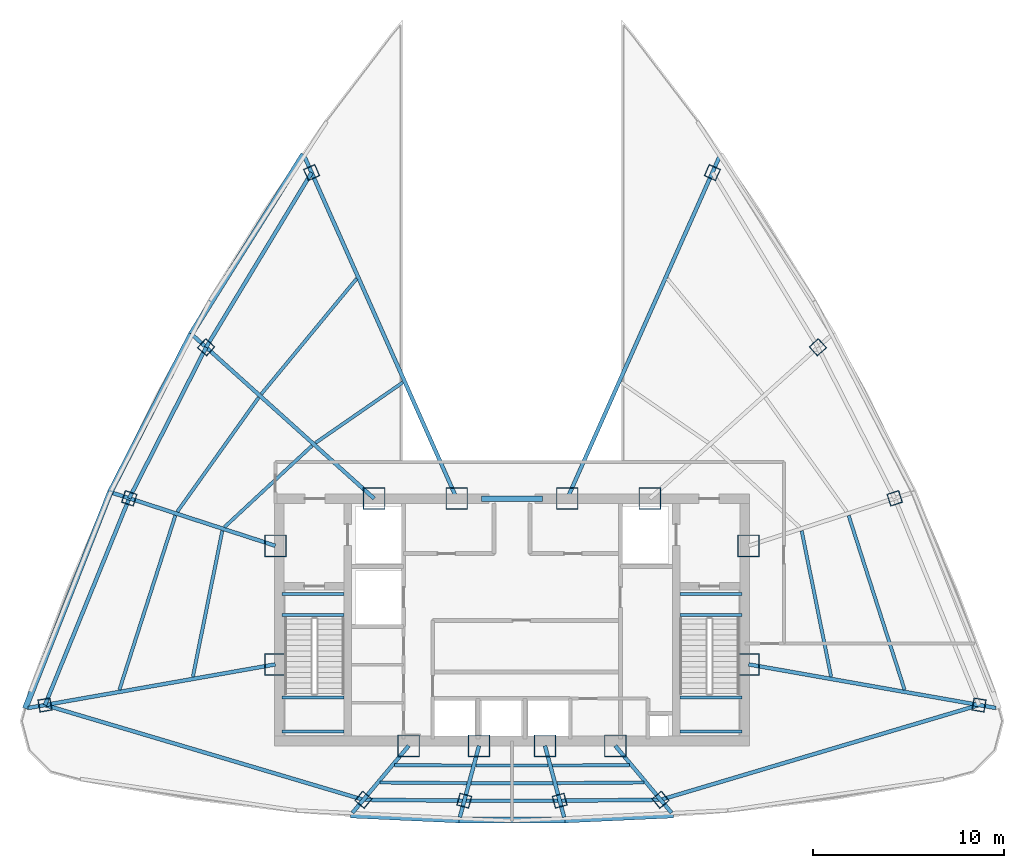
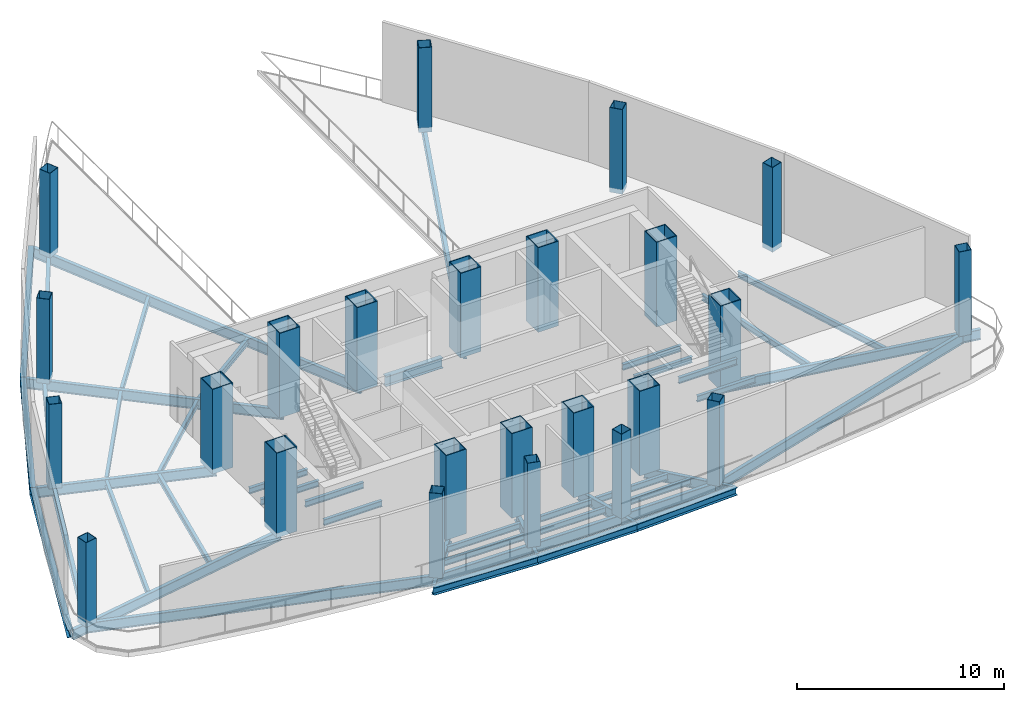
# One storey, part 1 of 6: 47 beams, 24 columns.
"""IFC4 building model written with IfcOpenShell, lengths in metres."""

from ifc_helpers import new_model, si_unit, direction, frame, origin, origin_2d, place, context, subcontext, project, spatial, hollow_rectangle, i_section, extrude, source, transform, mapped, material, material_profile, profile_set, type_object, element, save


model = new_model("IFC4")

# Units and contexts
model_context = context("Model", 3, precision=1e-05, world=origin(), true_north=direction((0.0, 1.0)))
body_context = subcontext(model_context, "Body", "Model", "MODEL_VIEW")
ifc_project = project(units=[si_unit("LENGTHUNIT", "METRE"), si_unit("AREAUNIT", "SQUARE_METRE"), si_unit("VOLUMEUNIT", "CUBIC_METRE"), si_unit("PLANEANGLEUNIT", "RADIAN"), si_unit("MASSUNIT", "GRAM", prefix="KILO"), si_unit("THERMODYNAMICTEMPERATUREUNIT", "KELVIN"), si_unit("POWERUNIT", "WATT")], contexts=[model_context])

# Site, building, storey
site_placement = place(None, origin())
site = spatial("IfcSite", under=ifc_project, at=site_placement, CompositionType="ELEMENT")
building_placement = place(site_placement, origin())
building = spatial("IfcBuilding", under=site, at=building_placement, Name="Yunzhuo Pagoda Commons", CompositionType="ELEMENT")
storey_placement = place(building_placement, frame((0.0, 0.0, 371.760009765625)))
storey = spatial("IfcBuildingStorey", under=building, at=storey_placement, Name="L93", CompositionType="ELEMENT", Elevation=371.760009765625)

# Columns
ifc_material_1 = material(Name="Structural steel Q420B", Category="steel")
ifc_material_profile_1 = material_profile(ifc_material_1, hollow_rectangle(XDim=1.14990234375, YDim=1.14990234375, WallThickness=0.048095703125, at=origin_2d()), Name="Structural steel Q420B")
ifc_profile_set_1 = profile_set([ifc_material_profile_1], Name="Structural steel Q420B")
column_type_1 = type_object("IfcColumnType", Name="C-COR Column BOX 1150x1150x48", PredefinedType="COLUMN", material=ifc_profile_set_1)
shared_shape_1 = source(origin(), body_context, "Body", "SweptSolid", [
    extrude(hollow_rectangle(XDim=1.14990234375, YDim=1.14990234375, WallThickness=0.048095703125, at=origin_2d()), origin(), (0.0, 0.0, 1.0), 5.0),
])
for number, where, z_axis, x_axis, name in (
    (1, (42.587890625, 27.25, -0.27978515625), (0.0, 0.0, 1.0), (1.0, 0.0, 0.0), "L93 core composite column F1C1"),
    (2, (46.27197265625, 27.25, -0.27978515625), (0.0, 0.0, 1.0), (1.0, 0.0, 0.0), "L93 core composite column F1C2"),
    (3, (49.728515625, 27.25, -0.27978515625), (0.0, 0.0, 1.0), (1.0, 0.0, 0.0), "L93 core composite column F1C3"),
    (4, (53.412109375, 27.25, -0.27978515625), (0.0, 0.0, 1.0), (1.0, 0.0, 0.0), "L93 core composite column F1C4"),
    (5, (60.39990234375, 31.513427734375, -0.27978515625), (0.0, 0.0, 1.0), (1.0, 0.0, 0.0), "L93 core composite column F2C1"),
    (6, (60.39990234375, 37.72900390625, -0.27978515625), (0.0, 0.0, 1.0), (1.0, 0.0, 0.0), "L93 core composite column F2C2"),
    (7, (55.218994140625, 40.199951171875, -0.27978515625), (0.0, 0.0, 1.0), (1.0, 0.0, 0.0), "L93 core composite column F2C3"),
    (8, (50.89404296875, 40.199951171875, -0.27978515625), (0.0, 0.0, 1.0), (1.0, 0.0, 0.0), "L93 core composite column F2C4"),
    (9, (45.10595703125, 40.199951171875, -0.27978515625), (0.0, 0.0, 1.0), (1.0, 0.0, 0.0), "L93 core composite column F3C1"),
    (10, (40.781005859375, 40.199951171875, -0.27978515625), (0.0, 0.0, 1.0), (1.0, 0.0, 0.0), "L93 core composite column F3C2"),
    (11, (35.60009765625, 37.72900390625, -0.27978515625), (0.0, 0.0, 1.0), (1.0, 0.0, 0.0), "L93 core composite column F3C3"),
    (12, (35.60009765625, 31.513427734375, -0.27978515625), (0.0, 0.0, 1.0), (1.0, 0.0, 0.0), "L93 core composite column F3C4"),
):
    element("IfcColumn", number, at=place(storey_placement, frame(where, z_axis=z_axis, x_axis=x_axis)), inside=storey, type_object=column_type_1, Name=name, PredefinedType="COLUMN", context=body_context, shape_type="MappedRepresentation", body=[
        mapped(shared_shape_1, transform((0.0, 0.0, 0.0), scale=1.0)),
    ])
ifc_material_2 = material(Name="Structural steel Q355B", Category="steel")
ifc_material_profile_2 = material_profile(ifc_material_2, hollow_rectangle(XDim=0.64990234375, YDim=0.64990234375, WallThickness=0.02392578125, at=origin_2d()), Name="Structural steel Q355B")
ifc_profile_set_2 = profile_set([ifc_material_profile_2], Name="Structural steel Q355B")
column_type_2 = type_object("IfcColumnType", Name="C-CRN Column BOX 650x650x24", PredefinedType="COLUMN", material=ifc_profile_set_2)
shared_shape_2 = source(origin(), body_context, "Body", "SweptSolid", [
    extrude(hollow_rectangle(XDim=0.64990234375, YDim=0.64990234375, WallThickness=0.02392578125, at=origin_2d()), origin(), (0.0, 0.0, 1.0), 5.0),
])
for number, where, z_axis, x_axis, name in (
    (13, (40.214599609375, 24.421630859375, -0.27978515625), (0.0, 0.0, 1.0), (0.766044443119, -0.642787609687, 0.0), "L93 tower column F1C1"),
    (14, (45.500732421875, 24.372802734375, -0.27978515625), (0.0, 0.0, 1.0), (0.965925826289, -0.258819045103, 0.0), "L93 tower column F1C2"),
    (15, (50.499267578125, 24.372802734375, -0.27978515625), (0.0, 0.0, 1.0), (0.965925826289, 0.258819045103, 0.0), "L93 tower column F1C3"),
    (16, (55.785400390625, 24.421630859375, -0.27978515625), (0.0, 0.0, 1.0), (0.766044443119, 0.642787609687, 0.0), "L93 tower column F1C4"),
    (17, (72.47021484375, 29.38525390625, -0.27978515625), (0.0, 0.0, 1.0), (0.173648177667, 0.984807753012, 0.0), "L93 tower column F2C1"),
    (18, (68.053466796875, 40.2158203125, -0.27978515625), (0.0, 0.0, 1.0), (-0.309016994375, 0.951056516295, 0.0), "L93 tower column F2C2"),
    (19, (64.024658203125, 48.128662109375, -0.27978515625), (0.0, 0.0, 1.0), (-0.669130606359, 0.743144825477, 0.0), "L93 tower column F2C3"),
    (20, (58.498779296875, 57.281005859375, -0.27978515625), (0.0, 0.0, 1.0), (-0.913545457643, 0.406736643076, 0.0), "L93 tower column F2C4"),
    (21, (37.501220703125, 57.281005859375, -0.27978515625), (0.0, 0.0, 1.0), (-0.913545457643, -0.406736643076, 0.0), "L93 tower column F3C1"),
    (22, (31.975341796875, 48.128662109375, -0.27978515625), (0.0, 0.0, 1.0), (-0.669130606359, -0.743144825477, 0.0), "L93 tower column F3C2"),
    (23, (27.946533203125, 40.2158203125, -0.27978515625), (0.0, 0.0, 1.0), (-0.309016994375, -0.951056516295, 0.0), "L93 tower column F3C3"),
    (24, (23.52978515625, 29.38525390625, -0.27978515625), (0.0, 0.0, 1.0), (0.173648177667, -0.984807753012, 0.0), "L93 tower column F3C4"),
):
    element("IfcColumn", number, at=place(storey_placement, frame(where, z_axis=z_axis, x_axis=x_axis)), inside=storey, type_object=column_type_2, Name=name, PredefinedType="COLUMN", context=body_context, shape_type="MappedRepresentation", body=[
        mapped(shared_shape_2, transform((0.0, 0.0, 0.0), scale=1.0)),
    ])

# Beams
ifc_material_profile_3 = material_profile(ifc_material_2, i_section(OverallWidth=0.175048828125, OverallDepth=0.35009765625, WebThickness=0.007080078125, FlangeThickness=0.010986328125, at=origin_2d()), Name="Structural steel Q355B")
ifc_profile_set_3 = profile_set([ifc_material_profile_3], Name="Structural steel Q355B")
beam_type_1 = type_object("IfcBeamType", Name="B-JS2 Joist HN 350x175x7x11", PredefinedType="JOIST", material=ifc_profile_set_3)
shared_shape_3 = source(origin(), body_context, "Body", "SweptSolid", [
    extrude(i_section(OverallWidth=0.175048828125, OverallDepth=0.35009765625, WebThickness=0.007080078125, FlangeThickness=0.010986328125, at=origin_2d()), origin(), (0.0, 0.0, 1.0), 3.25),
])
for number, where, z_axis, x_axis, name in (
    (25, (35.949951171875, 28.0, 2.125), (1.0, 0.0, 0.0), (0.0, 1.0, 0.0), "L93 ST1 landing support beam 99A"),
    (26, (35.949951171875, 29.780029296875, 2.125), (1.0, 0.0, 0.0), (0.0, 1.0, 0.0), "L93 ST1 landing support beam 99B"),
    (27, (35.949951171875, 34.10009765625, -0.375), (1.0, 0.0, 0.0), (0.0, 1.0, 0.0), "L93 ST1 landing support beam 197A"),
    (28, (35.949951171875, 35.199951171875, -0.375), (1.0, 0.0, 0.0), (0.0, 1.0, 0.0), "L93 ST1 landing support beam 197B"),
    (29, (56.800048828125, 28.0, 2.125), (1.0, 0.0, 0.0), (0.0, 1.0, 0.0), "L93 ST2 landing support beam 99A"),
    (30, (56.800048828125, 29.780029296875, 2.125), (1.0, 0.0, 0.0), (0.0, 1.0, 0.0), "L93 ST2 landing support beam 99B"),
    (31, (56.800048828125, 34.10009765625, -0.375), (1.0, 0.0, 0.0), (0.0, 1.0, 0.0), "L93 ST2 landing support beam 197A"),
    (32, (56.800048828125, 35.199951171875, -0.375), (1.0, 0.0, 0.0), (0.0, 1.0, 0.0), "L93 ST2 landing support beam 197B"),
):
    element("IfcBeam", number, at=place(storey_placement, frame(where, z_axis=z_axis, x_axis=x_axis)), inside=storey, type_object=beam_type_1, Name=name, PredefinedType="JOIST", context=body_context, shape_type="MappedRepresentation", body=[
        mapped(shared_shape_3, transform((0.0, 0.0, 0.0), scale=1.0)),
    ])
ifc_material_profile_4 = material_profile(ifc_material_1, i_section(OverallWidth=0.300048828125, OverallDepth=0.587890625, WebThickness=0.011962890625, FlangeThickness=0.02001953125, at=origin_2d()), Name="Structural steel Q420B")
ifc_profile_set_4 = profile_set([ifc_material_profile_4], Name="Structural steel Q420B")
beam_type_2 = type_object("IfcBeamType", Name="B-CPL Beam HM 588x300x12x20", PredefinedType="BEAM", material=ifc_profile_set_4)
shared_shape_4 = source(origin(), body_context, "Body", "SweptSolid", [
    extrude(i_section(OverallWidth=0.300048828125, OverallDepth=0.587890625, WebThickness=0.011962890625, FlangeThickness=0.02001953125, at=origin_2d()), origin(), (0.0, 0.0, 1.0), 3.2001953125),
])
beam_1_placement = place(storey_placement, frame((46.39990234375, 40.199951171875, -0.573974609375), z_axis=(1.0, 0.0, 0.0), x_axis=(0.0, 1.0, 0.0)))
element("IfcBeam", 33, at=beam_1_placement, inside=storey, type_object=beam_type_2, Name="L93 core coupling girder", PredefinedType="BEAM", context=body_context, shape_type="MappedRepresentation", body=[
    mapped(shared_shape_4, transform((0.0, 0.0, 0.0), scale=1.0)),
])
ifc_material_profile_5 = material_profile(ifc_material_2, i_section(OverallWidth=0.199951171875, OverallDepth=0.60009765625, WebThickness=0.010986328125, FlangeThickness=0.01708984375, at=origin_2d()), Name="Structural steel Q355B")
ifc_profile_set_5 = profile_set([ifc_material_profile_5], Name="Structural steel Q355B")
beam_type_3 = type_object("IfcBeamType", Name="B-RG3 Beam HN 600x200x11x17", PredefinedType="BEAM", material=ifc_profile_set_5)
shared_shape_5 = source(origin(), body_context, "Body", "SweptSolid", [
    extrude(i_section(OverallWidth=0.199951171875, OverallDepth=0.60009765625, WebThickness=0.010986328125, FlangeThickness=0.01708984375, at=origin_2d()), origin(), (0.0, 0.0, 1.0), 5.286376953125),
])
for number, where, z_axis, x_axis, name in (
    (34, (40.214599609375, 24.421630859375, -0.580078125), (0.999957341442, -0.009236627946, 0.0), (0.009236627946, 0.999957341442, 0.0), "L93 column-ring beam 1"),
    (35, (50.499267578125, 24.372802734375, -0.580078125), (0.999957341442, 0.009236627946, 0.0), (-0.009236627946, 0.999957341442, 0.0), "L93 column-ring beam 3"),
):
    element("IfcBeam", number, at=place(storey_placement, frame(where, z_axis=z_axis, x_axis=x_axis)), inside=storey, type_object=beam_type_3, Name=name, PredefinedType="BEAM", context=body_context, shape_type="MappedRepresentation", body=[
        mapped(shared_shape_5, transform((0.0, 0.0, 0.0), scale=1.0)),
    ])
shared_shape_6 = source(origin(), body_context, "Body", "SweptSolid", [
    extrude(i_section(OverallWidth=0.199951171875, OverallDepth=0.60009765625, WebThickness=0.010986328125, FlangeThickness=0.01708984375, at=origin_2d()), origin(), (0.0, 0.0, 1.0), 4.99853515625),
])
beam_2_placement = place(storey_placement, frame((45.500732421875, 24.372802734375, -0.580078125), z_axis=(1.0, 0.0, 0.0), x_axis=(0.0, 1.0, 0.0)))
element("IfcBeam", 36, at=beam_2_placement, inside=storey, type_object=beam_type_3, Name="L93 column-ring beam 2", PredefinedType="BEAM", context=body_context, shape_type="MappedRepresentation", body=[
    mapped(shared_shape_6, transform((0.0, 0.0, 0.0), scale=1.0)),
])
shared_shape_7 = source(origin(), body_context, "Body", "SweptSolid", [
    extrude(i_section(OverallWidth=0.199951171875, OverallDepth=0.60009765625, WebThickness=0.010986328125, FlangeThickness=0.01708984375, at=origin_2d()), origin(), (0.0, 0.0, 1.0), 17.407470703125),
])
for number, where, z_axis, x_axis, name in (
    (37, (55.785400390625, 24.421630859375, -0.580078125), (0.958484984609, 0.285143006717, 0.0), (-0.285143006717, 0.958484984609, 0.0), "L93 column-ring beam 4"),
    (38, (23.52978515625, 29.38525390625, -0.580078125), (0.958484984609, -0.285143006717, 0.0), (0.285143006717, 0.958484984609, 0.0), "L93 column-ring beam 12"),
):
    element("IfcBeam", number, at=place(storey_placement, frame(where, z_axis=z_axis, x_axis=x_axis)), inside=storey, type_object=beam_type_3, Name=name, PredefinedType="BEAM", context=body_context, shape_type="MappedRepresentation", body=[
        mapped(shared_shape_7, transform((0.0, 0.0, 0.0), scale=1.0)),
    ])
shared_shape_8 = source(origin(), body_context, "Body", "SweptSolid", [
    extrude(i_section(OverallWidth=0.199951171875, OverallDepth=0.60009765625, WebThickness=0.010986328125, FlangeThickness=0.01708984375, at=origin_2d()), origin(), (0.0, 0.0, 1.0), 11.696533203125),
])
beam_3_placement = place(storey_placement, frame((27.946533203125, 40.2158203125, -0.580078125), z_axis=(-0.377611800863, -0.925963999219, 0.0), x_axis=(0.925963999219, -0.377611800863, 0.0)))
element("IfcBeam", 39, at=beam_3_placement, inside=storey, type_object=beam_type_3, Name="L93 column-ring beam 11", PredefinedType="BEAM", context=body_context, shape_type="MappedRepresentation", body=[
    mapped(shared_shape_8, transform((0.0, 0.0, 0.0), scale=1.0)),
])
shared_shape_9 = source(origin(), body_context, "Body", "SweptSolid", [
    extrude(i_section(OverallWidth=0.199951171875, OverallDepth=0.60009765625, WebThickness=0.010986328125, FlangeThickness=0.01708984375, at=origin_2d()), origin(), (0.0, 0.0, 1.0), 8.87939453125),
])
beam_4_placement = place(storey_placement, frame((31.975341796875, 48.128662109375, -0.580078125), z_axis=(-0.453723535687, -0.891142498798, 0.0), x_axis=(0.891142498798, -0.453723535687, 0.0)))
element("IfcBeam", 40, at=beam_4_placement, inside=storey, type_object=beam_type_3, Name="L93 column-ring beam 10", PredefinedType="BEAM", context=body_context, shape_type="MappedRepresentation", body=[
    mapped(shared_shape_9, transform((0.0, 0.0, 0.0), scale=1.0)),
])
shared_shape_10 = source(origin(), body_context, "Body", "SweptSolid", [
    extrude(i_section(OverallWidth=0.199951171875, OverallDepth=0.60009765625, WebThickness=0.010986328125, FlangeThickness=0.01708984375, at=origin_2d()), origin(), (0.0, 0.0, 1.0), 10.691162109375),
])
beam_5_placement = place(storey_placement, frame((37.501220703125, 57.281005859375, -0.580078125), z_axis=(-0.516864678433, -0.856067114301, 0.0), x_axis=(0.856067114301, -0.516864678433, 0.0)))
element("IfcBeam", 41, at=beam_5_placement, inside=storey, type_object=beam_type_3, Name="L93 column-ring beam 9", PredefinedType="BEAM", context=body_context, shape_type="MappedRepresentation", body=[
    mapped(shared_shape_10, transform((0.0, 0.0, 0.0), scale=1.0)),
])
shared_shape_11 = source(origin(), body_context, "Body", "SweptSolid", [
    extrude(i_section(OverallWidth=0.175048828125, OverallDepth=0.35009765625, WebThickness=0.007080078125, FlangeThickness=0.010986328125, at=origin_2d()), origin(), (0.0, 0.0, 1.0), 4.03076171875),
])
for number, where, z_axis, x_axis, name in (
    (42, (41.848388671875, 26.231201171875, -0.455078125), (0.999991518197, -0.004118680996, 0.0), (0.004118680996, 0.999991518197, 0.0), "L93 composite ring joist 1.1"),
    (43, (50.120849609375, 26.214599609375, -0.455078125), (0.999991518197, 0.004118680996, 0.0), (-0.004118680996, 0.999991518197, 0.0), "L93 composite ring joist 1.3"),
):
    element("IfcBeam", number, at=place(storey_placement, frame(where, z_axis=z_axis, x_axis=x_axis)), inside=storey, type_object=beam_type_1, Name=name, PredefinedType="JOIST", context=body_context, shape_type="MappedRepresentation", body=[
        mapped(shared_shape_11, transform((0.0, 0.0, 0.0), scale=1.0)),
    ])
shared_shape_12 = source(origin(), body_context, "Body", "SweptSolid", [
    extrude(i_section(OverallWidth=0.175048828125, OverallDepth=0.35009765625, WebThickness=0.007080078125, FlangeThickness=0.010986328125, at=origin_2d()), origin(), (0.0, 0.0, 1.0), 4.54345703125),
])
for number, where, z_axis, x_axis, name in (
    (44, (41.089111328125, 25.325927734375, -0.455078125), (0.999975976237, -0.006931590593, 0.0), (0.006931590593, 0.999975976237, 0.0), "L93 composite ring joist 2.1"),
    (45, (50.367431640625, 25.29443359375, -0.455078125), (0.999975976237, 0.006931590593, 0.0), (-0.006931590593, 0.999975976237, 0.0), "L93 composite ring joist 2.3"),
):
    element("IfcBeam", number, at=place(storey_placement, frame(where, z_axis=z_axis, x_axis=x_axis)), inside=storey, type_object=beam_type_1, Name=name, PredefinedType="JOIST", context=body_context, shape_type="MappedRepresentation", body=[
        mapped(shared_shape_12, transform((0.0, 0.0, 0.0), scale=1.0)),
    ])
shared_shape_13 = source(origin(), body_context, "Body", "SweptSolid", [
    extrude(i_section(OverallWidth=0.175048828125, OverallDepth=0.35009765625, WebThickness=0.007080078125, FlangeThickness=0.010986328125, at=origin_2d()), origin(), (0.0, 0.0, 1.0), 3.78173828125),
])
beam_6_placement = place(storey_placement, frame((46.109130859375, 26.214111328125, -0.455078125), z_axis=(1.0, 0.0, 0.0), x_axis=(0.0, 1.0, 0.0)))
element("IfcBeam", 46, at=beam_6_placement, inside=storey, type_object=beam_type_1, Name="L93 composite ring joist 1.2", PredefinedType="JOIST", context=body_context, shape_type="MappedRepresentation", body=[
    mapped(shared_shape_13, transform((0.0, 0.0, 0.0), scale=1.0)),
])
shared_shape_14 = source(origin(), body_context, "Body", "SweptSolid", [
    extrude(i_section(OverallWidth=0.175048828125, OverallDepth=0.35009765625, WebThickness=0.007080078125, FlangeThickness=0.010986328125, at=origin_2d()), origin(), (0.0, 0.0, 1.0), 4.27490234375),
])
beam_7_placement = place(storey_placement, frame((45.862548828125, 25.29345703125, -0.455078125), z_axis=(1.0, 0.0, 0.0), x_axis=(0.0, 1.0, 0.0)))
element("IfcBeam", 47, at=beam_7_placement, inside=storey, type_object=beam_type_1, Name="L93 composite ring joist 2.2", PredefinedType="JOIST", context=body_context, shape_type="MappedRepresentation", body=[
    mapped(shared_shape_14, transform((0.0, 0.0, 0.0), scale=1.0)),
])
shared_shape_15 = source(origin(), body_context, "Body", "SweptSolid", [
    extrude(i_section(OverallWidth=0.175048828125, OverallDepth=0.35009765625, WebThickness=0.007080078125, FlangeThickness=0.010986328125, at=origin_2d()), origin(), (0.0, 0.0, 1.0), 7.8056640625),
])
for number, where, z_axis, x_axis, name in (
    (48, (64.722412109375, 30.860107421875, -0.455078125), (-0.197830082137, 0.980236327934, 0.0), (-0.980236327934, -0.197830082137, 0.0), "L93 composite ring joist 1.5"),
    (49, (32.822265625, 38.511474609375, -0.455078125), (-0.197890187791, -0.980224195568, 0.0), (0.980224195568, -0.197890187791, 0.0), "L93 composite ring joist 1.11"),
):
    element("IfcBeam", number, at=place(storey_placement, frame(where, z_axis=z_axis, x_axis=x_axis)), inside=storey, type_object=beam_type_1, Name=name, PredefinedType="JOIST", context=body_context, shape_type="MappedRepresentation", body=[
        mapped(shared_shape_15, transform((0.0, 0.0, 0.0), scale=1.0)),
    ])
shared_shape_16 = source(origin(), body_context, "Body", "SweptSolid", [
    extrude(i_section(OverallWidth=0.175048828125, OverallDepth=0.35009765625, WebThickness=0.007080078125, FlangeThickness=0.010986328125, at=origin_2d()), origin(), (0.0, 0.0, 1.0), 9.593994140625),
])
for number, where, z_axis, x_axis, name in (
    (50, (68.572509765625, 30.17578125, -0.455078125), (-0.305719218499, 0.952121714614, 0.0), (-0.952121714614, -0.305719218499, 0.0), "L93 composite ring joist 2.5"),
    (51, (30.360595703125, 39.310546875, -0.455078125), (-0.305719218499, -0.952121714614, 0.0), (0.952121714614, -0.305719218499, 0.0), "L93 composite ring joist 2.11"),
):
    element("IfcBeam", number, at=place(storey_placement, frame(where, z_axis=z_axis, x_axis=x_axis)), inside=storey, type_object=beam_type_1, Name=name, PredefinedType="JOIST", context=body_context, shape_type="MappedRepresentation", body=[
        mapped(shared_shape_16, transform((0.0, 0.0, 0.0), scale=1.0)),
    ])
shared_shape_17 = source(origin(), body_context, "Body", "SweptSolid", [
    extrude(i_section(OverallWidth=0.175048828125, OverallDepth=0.35009765625, WebThickness=0.007080078125, FlangeThickness=0.010986328125, at=origin_2d()), origin(), (0.0, 0.0, 1.0), 6.277099609375),
])
beam_8_placement = place(storey_placement, frame((37.526611328125, 42.97607421875, -0.455078125), z_axis=(-0.73244154109, -0.68082992655, 0.0), x_axis=(0.68082992655, -0.73244154109, 0.0)))
element("IfcBeam", 52, at=beam_8_placement, inside=storey, type_object=beam_type_1, Name="L93 composite ring joist 1.10", PredefinedType="JOIST", context=body_context, shape_type="MappedRepresentation", body=[
    mapped(shared_shape_17, transform((0.0, 0.0, 0.0), scale=1.0)),
])
shared_shape_18 = source(origin(), body_context, "Body", "SweptSolid", [
    extrude(i_section(OverallWidth=0.175048828125, OverallDepth=0.35009765625, WebThickness=0.007080078125, FlangeThickness=0.010986328125, at=origin_2d()), origin(), (0.0, 0.0, 1.0), 7.347900390625),
])
beam_9_placement = place(storey_placement, frame((34.726318359375, 45.497802734375, -0.455078125), z_axis=(-0.580294898948, -0.814406428177, 0.0), x_axis=(0.814406428177, -0.580294898948, 0.0)))
element("IfcBeam", 53, at=beam_9_placement, inside=storey, type_object=beam_type_1, Name="L93 composite ring joist 2.10", PredefinedType="JOIST", context=body_context, shape_type="MappedRepresentation", body=[
    mapped(shared_shape_18, transform((0.0, 0.0, 0.0), scale=1.0)),
])
shared_shape_19 = source(origin(), body_context, "Body", "SweptSolid", [
    extrude(i_section(OverallWidth=0.175048828125, OverallDepth=0.35009765625, WebThickness=0.007080078125, FlangeThickness=0.010986328125, at=origin_2d()), origin(), (0.0, 0.0, 1.0), 5.556640625),
])
beam_10_placement = place(storey_placement, frame((42.273681640625, 46.28369140625, -0.455078125), z_axis=(-0.822084621883, -0.569365326011, 0.0), x_axis=(0.569365326011, -0.822084621883, 0.0)))
element("IfcBeam", 54, at=beam_10_placement, inside=storey, type_object=beam_type_1, Name="L93 composite ring joist 1.9", PredefinedType="JOIST", context=body_context, shape_type="MappedRepresentation", body=[
    mapped(shared_shape_19, transform((0.0, 0.0, 0.0), scale=1.0)),
])
shared_shape_20 = source(origin(), body_context, "Body", "SweptSolid", [
    extrude(i_section(OverallWidth=0.175048828125, OverallDepth=0.35009765625, WebThickness=0.007080078125, FlangeThickness=0.010986328125, at=origin_2d()), origin(), (0.0, 0.0, 1.0), 7.842529296875),
])
beam_11_placement = place(storey_placement, frame((39.861328125, 51.726318359375, -0.455078125), z_axis=(-0.636899145749, -0.770947130577, 0.0), x_axis=(0.770947130577, -0.636899145749, 0.0)))
element("IfcBeam", 55, at=beam_11_placement, inside=storey, type_object=beam_type_1, Name="L93 composite ring joist 2.9", PredefinedType="JOIST", context=body_context, shape_type="MappedRepresentation", body=[
    mapped(shared_shape_20, transform((0.0, 0.0, 0.0), scale=1.0)),
])
shared_shape_21 = source(origin(), body_context, "Body", "SweptSolid", [
    extrude(i_section(OverallWidth=0.199951171875, OverallDepth=0.60009765625, WebThickness=0.010986328125, FlangeThickness=0.01708984375, at=origin_2d()), origin(), (0.0, 0.0, 1.0), 4.587158203125),
])
for number, where, z_axis, x_axis, name in (
    (56, (39.639404296875, 23.736083984375, -0.580078125), (0.642782581433, 0.766048662297, 0.0), (-0.766048662297, 0.642782581433, 0.0), "L93 radial floor girder F1C1"),
    (57, (56.360595703125, 23.736083984375, -0.580078125), (-0.642782581433, 0.766048662297, 0.0), (-0.766048662297, -0.642782581433, 0.0), "L93 radial floor girder F1C4"),
):
    element("IfcBeam", number, at=place(storey_placement, frame(where, z_axis=z_axis, x_axis=x_axis)), inside=storey, type_object=beam_type_3, Name=name, PredefinedType="BEAM", context=body_context, shape_type="MappedRepresentation", body=[
        mapped(shared_shape_21, transform((0.0, 0.0, 0.0), scale=1.0)),
    ])
shared_shape_22 = source(origin(), body_context, "Body", "SweptSolid", [
    extrude(i_section(OverallWidth=0.199951171875, OverallDepth=0.60009765625, WebThickness=0.010986328125, FlangeThickness=0.01708984375, at=origin_2d()), origin(), (0.0, 0.0, 1.0), 3.873779296875),
])
beam_12_placement = place(storey_placement, frame((45.269287109375, 23.50830078125, -0.580078125), z_axis=(0.258843194056, 0.965919355273, 0.0), x_axis=(-0.965919355273, 0.258843194056, 0.0)))
element("IfcBeam", 58, at=beam_12_placement, inside=storey, type_object=beam_type_3, Name="L93 radial floor girder F1C2", PredefinedType="BEAM", context=body_context, shape_type="MappedRepresentation", body=[
    mapped(shared_shape_22, transform((0.0, 0.0, 0.0), scale=1.0)),
])
shared_shape_23 = source(origin(), body_context, "Body", "SweptSolid", [
    extrude(i_section(OverallWidth=0.199951171875, OverallDepth=0.60009765625, WebThickness=0.010986328125, FlangeThickness=0.01708984375, at=origin_2d()), origin(), (0.0, 0.0, 1.0), 3.87353515625),
])
beam_13_placement = place(storey_placement, frame((50.730712890625, 23.50830078125, -0.580078125), z_axis=(-0.258725583844, 0.965950864312, 0.0), x_axis=(-0.965950864312, -0.258725583844, 0.0)))
element("IfcBeam", 59, at=beam_13_placement, inside=storey, type_object=beam_type_3, Name="L93 radial floor girder F1C3", PredefinedType="BEAM", context=body_context, shape_type="MappedRepresentation", body=[
    mapped(shared_shape_23, transform((0.0, 0.0, 0.0), scale=1.0)),
])
shared_shape_24 = source(origin(), body_context, "Body", "SweptSolid", [
    extrude(i_section(OverallWidth=0.199951171875, OverallDepth=0.60009765625, WebThickness=0.010986328125, FlangeThickness=0.01708984375, at=origin_2d()), origin(), (0.0, 0.0, 1.0), 13.151611328125),
])
beam_14_placement = place(storey_placement, frame((73.351806640625, 29.229736328125, -0.580078125), z_axis=(-0.98480877727, 0.173642368713, 0.0), x_axis=(-0.173642368713, -0.98480877727, 0.0)))
element("IfcBeam", 60, at=beam_14_placement, inside=storey, type_object=beam_type_3, Name="L93 radial floor girder F2C1", PredefinedType="BEAM", context=body_context, shape_type="MappedRepresentation", body=[
    mapped(shared_shape_24, transform((0.0, 0.0, 0.0), scale=1.0)),
])
shared_shape_25 = source(origin(), body_context, "Body", "SweptSolid", [
    extrude(i_section(OverallWidth=0.199951171875, OverallDepth=0.60009765625, WebThickness=0.010986328125, FlangeThickness=0.01708984375, at=origin_2d()), origin(), (0.0, 0.0, 1.0), 8.942626953125),
])
beam_15_placement = place(storey_placement, frame((27.09521484375, 40.492431640625, -0.580078125), z_axis=(0.951055734301, -0.309019401095, 0.0), x_axis=(0.309019401095, 0.951055734301, 0.0)))
element("IfcBeam", 61, at=beam_15_placement, inside=storey, type_object=beam_type_3, Name="L93 radial floor girder F3C3", PredefinedType="BEAM", context=body_context, shape_type="MappedRepresentation", body=[
    mapped(shared_shape_25, transform((0.0, 0.0, 0.0), scale=1.0)),
])
shared_shape_26 = source(origin(), body_context, "Body", "SweptSolid", [
    extrude(i_section(OverallWidth=0.199951171875, OverallDepth=0.60009765625, WebThickness=0.010986328125, FlangeThickness=0.01708984375, at=origin_2d()), origin(), (0.0, 0.0, 1.0), 12.744140625),
])
beam_16_placement = place(storey_placement, frame((31.310302734375, 48.7275390625, -0.580078125), z_axis=(0.743139811769, -0.669136174605, 0.0), x_axis=(0.669136174605, 0.743139811769, 0.0)))
element("IfcBeam", 62, at=beam_16_placement, inside=storey, type_object=beam_type_3, Name="L93 radial floor girder F3C2", PredefinedType="BEAM", context=body_context, shape_type="MappedRepresentation", body=[
    mapped(shared_shape_26, transform((0.0, 0.0, 0.0), scale=1.0)),
])
shared_shape_27 = source(origin(), body_context, "Body", "SweptSolid", [
    extrude(i_section(OverallWidth=0.199951171875, OverallDepth=0.60009765625, WebThickness=0.010986328125, FlangeThickness=0.01708984375, at=origin_2d()), origin(), (0.0, 0.0, 1.0), 19.59228515625),
])
for number, where, z_axis, x_axis, name in (
    (63, (58.86279296875, 58.098388671875, -0.580078125), (-0.406730347382, -0.91354826064, 0.0), (0.91354826064, -0.406730347382, 0.0), "L93 radial floor girder F2C4"),
    (64, (37.13720703125, 58.098388671875, -0.580078125), (0.406730347382, -0.91354826064, 0.0), (0.91354826064, 0.406730347382, 0.0), "L93 radial floor girder F3C1"),
):
    element("IfcBeam", number, at=place(storey_placement, frame(where, z_axis=z_axis, x_axis=x_axis)), inside=storey, type_object=beam_type_3, Name=name, PredefinedType="BEAM", context=body_context, shape_type="MappedRepresentation", body=[
        mapped(shared_shape_27, transform((0.0, 0.0, 0.0), scale=1.0)),
    ])
shared_shape_28 = source(origin(), body_context, "Body", "SweptSolid", [
    extrude(i_section(OverallWidth=0.199951171875, OverallDepth=0.60009765625, WebThickness=0.010986328125, FlangeThickness=0.01708984375, at=origin_2d()), origin(), (0.0, 0.0, 1.0), 13.151123046875),
])
beam_17_placement = place(storey_placement, frame((22.648681640625, 29.229736328125, -0.580078125), z_axis=(0.984807657771, 0.173648717804, 0.0), x_axis=(-0.173648717804, 0.984807657771, 0.0)))
element("IfcBeam", 65, at=beam_17_placement, inside=storey, type_object=beam_type_3, Name="L93 radial floor girder F3C4", PredefinedType="BEAM", context=body_context, shape_type="MappedRepresentation", body=[
    mapped(shared_shape_28, transform((0.0, 0.0, 0.0), scale=1.0)),
])
ifc_material_profile_6 = material_profile(ifc_material_2, i_section(OverallWidth=0.300048828125, OverallDepth=0.43994140625, WebThickness=0.010986328125, FlangeThickness=0.01806640625, at=origin_2d()), Name="Structural steel Q355B")
ifc_profile_set_6 = profile_set([ifc_material_profile_6], Name="Structural steel Q355B")
beam_type_4 = type_object("IfcBeamType", Name="B-SP2 Beam HM 440x300x11x18", PredefinedType="BEAM", material=ifc_profile_set_6)
shared_shape_29 = source(origin(), body_context, "Body", "SweptSolid", [
    extrude(i_section(OverallWidth=0.300048828125, OverallDepth=0.43994140625, WebThickness=0.010986328125, FlangeThickness=0.01806640625, at=origin_2d()), origin(), (0.0, 0.0, 1.0), 5.6953125),
])
for number, where, z_axis, x_axis, name in (
    (66, (39.53955078125, 23.617431640625, -0.5), (0.998967125564, -0.045438772447, 0.0), (0.045438772447, 0.998967125564, 0.0), "L93 facade edge spandrel beam F1.1"),
    (67, (50.77099609375, 23.358642578125, -0.5), (0.998967125564, 0.045438772447, 0.0), (-0.045438772447, 0.998967125564, 0.0), "L93 facade edge spandrel beam F1.3"),
):
    element("IfcBeam", number, at=place(storey_placement, frame(where, z_axis=z_axis, x_axis=x_axis)), inside=storey, type_object=beam_type_4, Name=name, PredefinedType="BEAM", context=body_context, shape_type="MappedRepresentation", body=[
        mapped(shared_shape_29, transform((0.0, 0.0, 0.0), scale=1.0)),
    ])
shared_shape_30 = source(origin(), body_context, "Body", "SweptSolid", [
    extrude(i_section(OverallWidth=0.300048828125, OverallDepth=0.43994140625, WebThickness=0.010986328125, FlangeThickness=0.01806640625, at=origin_2d()), origin(), (0.0, 0.0, 1.0), 5.5419921875),
])
beam_18_placement = place(storey_placement, frame((45.22900390625, 23.358642578125, -0.5), z_axis=(1.0, 0.0, 0.0), x_axis=(0.0, 1.0, 0.0)))
element("IfcBeam", 68, at=beam_18_placement, inside=storey, type_object=beam_type_4, Name="L93 facade edge spandrel beam F1.2", PredefinedType="BEAM", context=body_context, shape_type="MappedRepresentation", body=[
    mapped(shared_shape_30, transform((0.0, 0.0, 0.0), scale=1.0)),
])
shared_shape_31 = source(origin(), body_context, "Body", "SweptSolid", [
    extrude(i_section(OverallWidth=0.300048828125, OverallDepth=0.43994140625, WebThickness=0.010986328125, FlangeThickness=0.01806640625, at=origin_2d()), origin(), (0.0, 0.0, 1.0), 12.18017578125),
])
beam_19_placement = place(storey_placement, frame((26.947998046875, 40.540283203125, -0.5), z_axis=(-0.365522138301, -0.930802646328, 0.0), x_axis=(0.930802646328, -0.365522138301, 0.0)))
element("IfcBeam", 69, at=beam_19_placement, inside=storey, type_object=beam_type_4, Name="L93 facade edge spandrel beam F3.3", PredefinedType="BEAM", context=body_context, shape_type="MappedRepresentation", body=[
    mapped(shared_shape_31, transform((0.0, 0.0, 0.0), scale=1.0)),
])
shared_shape_32 = source(origin(), body_context, "Body", "SweptSolid", [
    extrude(i_section(OverallWidth=0.300048828125, OverallDepth=0.43994140625, WebThickness=0.010986328125, FlangeThickness=0.01806640625, at=origin_2d()), origin(), (0.0, 0.0, 1.0), 9.3154296875),
])
beam_20_placement = place(storey_placement, frame((31.195068359375, 48.831298828125, -0.5), z_axis=(-0.455914353887, -0.89002365245, 0.0), x_axis=(0.89002365245, -0.455914353887, 0.0)))
element("IfcBeam", 70, at=beam_20_placement, inside=storey, type_object=beam_type_4, Name="L93 facade edge spandrel beam F3.2", PredefinedType="BEAM", context=body_context, shape_type="MappedRepresentation", body=[
    mapped(shared_shape_32, transform((0.0, 0.0, 0.0), scale=1.0)),
])
shared_shape_33 = source(origin(), body_context, "Body", "SweptSolid", [
    extrude(i_section(OverallWidth=0.300048828125, OverallDepth=0.43994140625, WebThickness=0.010986328125, FlangeThickness=0.01806640625, at=origin_2d()), origin(), (0.0, 0.0, 1.0), 11.094482421875),
])
beam_21_placement = place(storey_placement, frame((37.07421875, 58.239990234375, -0.5), z_axis=(-0.529915860294, -0.848050223164, 0.0), x_axis=(0.848050223164, -0.529915860294, 0.0)))
element("IfcBeam", 71, at=beam_21_placement, inside=storey, type_object=beam_type_4, Name="L93 facade edge spandrel beam F3.1", PredefinedType="BEAM", context=body_context, shape_type="MappedRepresentation", body=[
    mapped(shared_shape_33, transform((0.0, 0.0, 0.0), scale=1.0)),
])

save(model, "model.ifc")
